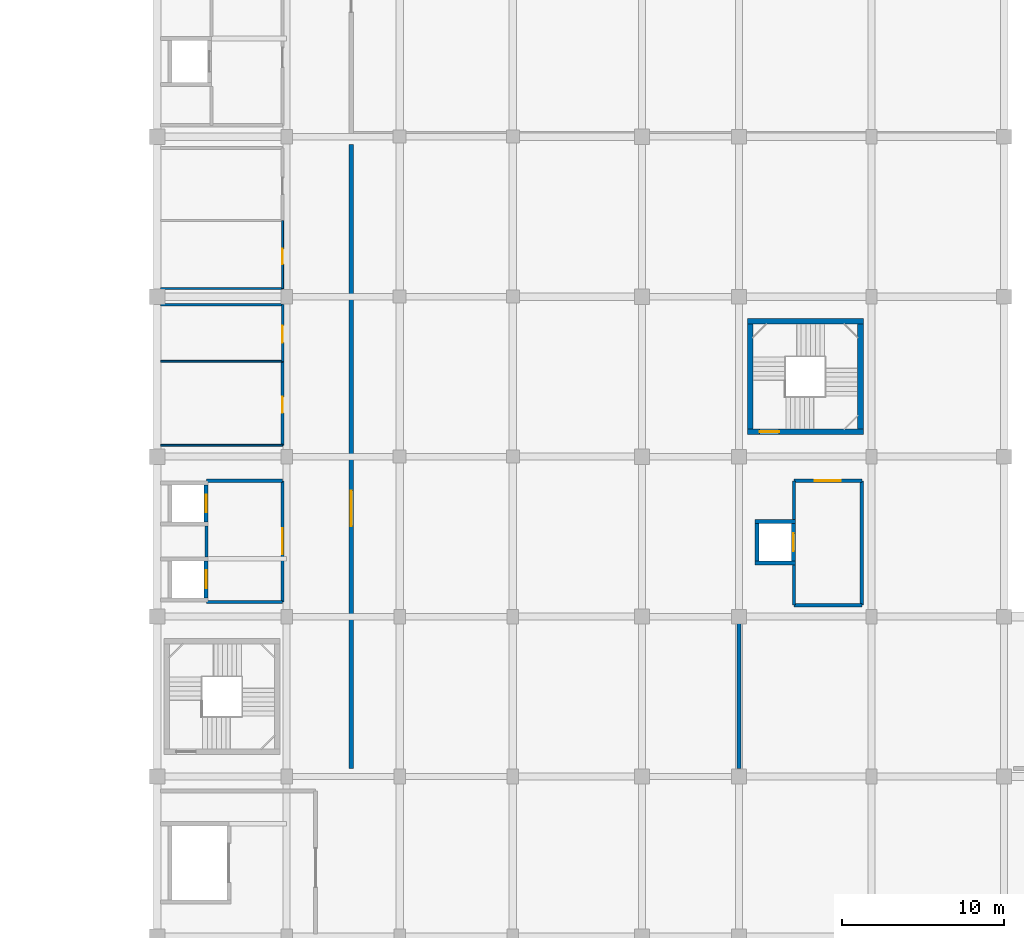
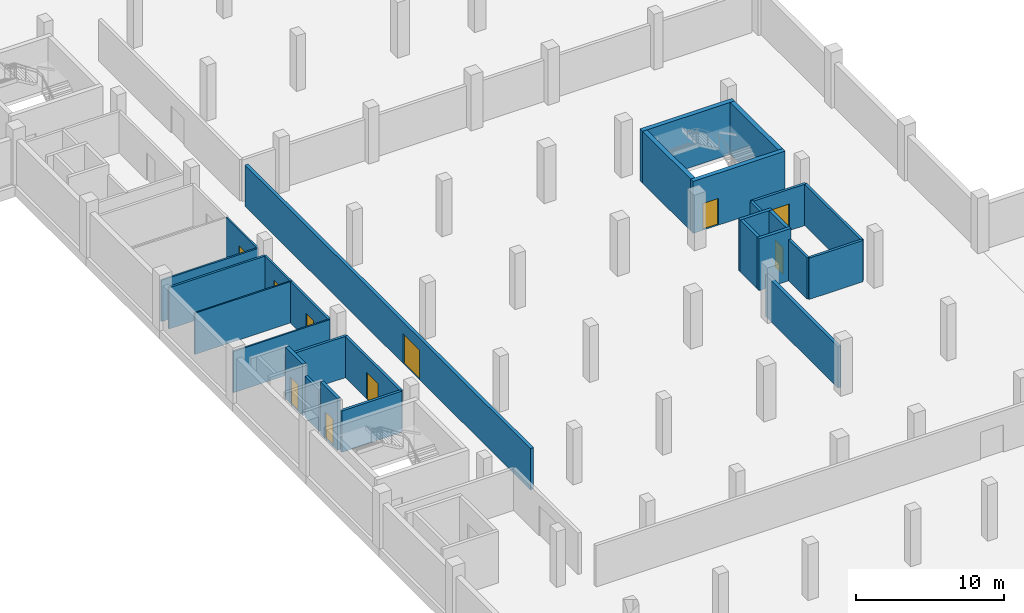
# One storey, part 11 of 32: 28 walls, 10 doors, 10 openings.
"""IFC4 building model written with IfcOpenShell, lengths in metres."""

from ifc_helpers import new_model, si_unit, direction, frame, frame_2d, origin, place, context, subcontext, project, spatial, rectangle, extrude, material, layer, layer_set, type_object, element, fill, save


model = new_model("IFC4")

# Units and contexts
model_context = context("Model", 3, precision=1e-05, world=origin(), true_north=direction((0.0, 1.0)))
body_context = subcontext(model_context, "Body", "Model", "MODEL_VIEW")
ifc_project = project(units=[si_unit("LENGTHUNIT", "METRE"), si_unit("AREAUNIT", "SQUARE_METRE"), si_unit("VOLUMEUNIT", "CUBIC_METRE"), si_unit("PLANEANGLEUNIT", "RADIAN"), si_unit("MASSUNIT", "GRAM", prefix="KILO")], contexts=[model_context])

# Site, building, storey
site_placement = place(None, origin())
site = spatial("IfcSite", under=ifc_project, at=site_placement, CompositionType="ELEMENT")
building_placement = place(site_placement, origin())
building = spatial("IfcBuilding", under=site, at=building_placement, Name="Sillaruma Civic Art Gallery", CompositionType="ELEMENT")
storey_placement = place(building_placement, frame((0.0, 0.0, -4.590087890625)))
storey = spatial("IfcBuildingStorey", under=building, at=storey_placement, Name="B01", CompositionType="ELEMENT", Elevation=-4.590087890625)

# Wall, opening, door
ifc_material_1 = material(Name="Concrete H40 (40 MPa)", Category="concrete")
ifc_layer_1 = layer(ifc_material_1, 0.35009765625, Name="Concrete H40 (40 MPa)")
ifc_layer_set_1 = layer_set([ifc_layer_1], Name="Concrete H40 (40 MPa)")
wall_type_1 = type_object("IfcWallType", Name="WAL-CORE-350", PredefinedType="SHEAR", material=ifc_layer_set_1)
wall_1_placement = place(storey_placement, frame((98.510009765625, 51.034912109375, 0.0), z_axis=(0.0, 0.0, 1.0), x_axis=(1.0, 0.0, 0.0)))
wall_1 = element("IfcWall", 1, at=wall_1_placement, inside=storey, type_object=wall_type_1, Name="Stair Core Shear Wall W-CORE-350 (ST-04:B01:S)", PredefinedType="SHEAR", context=body_context, shape_type="SweptSolid", body=[
    extrude(rectangle(XDim=7.179931640625, YDim=0.35009765625, at=frame_2d((3.58984375, 0.0))), origin(), (0.0, 0.0, 1.0), 4.2900390625),
])
opening_1_placement = place(wall_1_placement, frame((0.77001953125, 0.0, 0.0)))
opening_1 = element("IfcOpeningElement", 2, at=opening_1_placement, cuts=wall_1, Name="Opening D-STAIR", PredefinedType="OPENING", context=body_context, shape_type="SweptSolid", body=[
    extrude(rectangle(XDim=1.199951171875, YDim=2.199951171875, at=frame_2d((0.60009765625, 1.10009765625))), frame((0.0, 0.18505859375, 0.0), z_axis=(0.0, -1.0, 0.0), x_axis=(1.0, 0.0, 0.0)), (0.0, 0.0, 1.0), 0.3701171875),
])
ifc_material_2 = material(Name="Galvanised Steel ASTM A653 Gr.50", Category="steel")
door_type_1 = type_object("IfcDoorType", Name="DOR-STAIR-120", OperationType="NOTDEFINED", PredefinedType="DOOR", material=ifc_material_2)
door_1_placement = place(opening_1_placement, origin())
door_1 = element("IfcDoor", 3, at=door_1_placement, inside=storey, type_object=door_type_1, Name="Protected Stair Fire Door (ST-04:B01)", OperationType="SINGLE_SWING_LEFT", OverallHeight=2.199951171875, OverallWidth=1.199951171875, PredefinedType="DOOR", context=body_context, shape_type="SweptSolid", body=[
    extrude(rectangle(XDim=1.199951171875, YDim=2.199951171875, at=frame_2d((0.60009765625, 1.10009765625))), frame((0.0, 0.02490234375, 0.0), z_axis=(0.0, -1.0, 0.0), x_axis=(1.0, 0.0, 0.0)), (0.0, 0.0, 1.0), 0.050048828125),
])
fill(opening_1, door_1)

# Walls
wall_2_placement = place(storey_placement, frame((98.510009765625, 57.864990234375, 0.0), z_axis=(0.0, 0.0, 1.0), x_axis=(1.0, 0.0, 0.0)))
element("IfcWall", 4, at=wall_2_placement, inside=storey, type_object=wall_type_1, Name="Stair Core Shear Wall W-CORE-350 (ST-04:B01:N)", PredefinedType="SHEAR", context=body_context, shape_type="SweptSolid", body=[
    extrude(rectangle(XDim=7.179931640625, YDim=0.35009765625, at=frame_2d((3.58984375, 0.0))), origin(), (0.0, 0.0, 1.0), 4.2900390625),
])
for number, where, z_axis, x_axis, name in (
    (5, (98.68505859375, 51.2099609375, 0.0), (0.0, 0.0, 1.0), (0.0, 1.0, 0.0), "Stair Core Shear Wall W-CORE-350 (ST-04:B01:W)"),
    (6, (105.514892578125, 51.2099609375, 0.0), (0.0, 0.0, 1.0), (0.0, 1.0, 0.0), "Stair Core Shear Wall W-CORE-350 (ST-04:B01:E)"),
):
    element("IfcWall", number, at=place(storey_placement, frame(where, z_axis=z_axis, x_axis=x_axis)), inside=storey, type_object=wall_type_1, Name=name, PredefinedType="SHEAR", context=body_context, shape_type="SweptSolid", body=[
        extrude(rectangle(XDim=6.47998046875, YDim=0.35009765625, at=frame_2d((3.239990234375, 0.0))), origin(), (0.0, 0.0, 1.0), 4.2900390625),
    ])
ifc_material_3 = material(Name="Concrete Masonry Unit Grade M15", Category="masonry")
ifc_layer_2 = layer(ifc_material_3, 0.199951171875, Name="Concrete Masonry Unit Grade M15")
ifc_layer_set_2 = layer_set([ifc_layer_2], Name="Concrete Masonry Unit Grade M15")
wall_type_2 = type_object("IfcWallType", Name="WAL-LOBBY-200", PredefinedType="SOLIDWALL", material=ifc_layer_set_2)
for number, where, z_axis, x_axis, name in (
    (7, (65.050048828125, 40.5, 0.0), (0.0, 0.0, 1.0), (1.0, 0.0, 0.0), "Interior Wall W-LOBBY-200 (B01-LLW)"),
    (8, (65.050048828125, 48.0, 0.0), (0.0, 0.0, 1.0), (1.0, 0.0, 0.0), "Interior Wall W-LOBBY-200 (B01-LLW)"),
):
    element("IfcWall", number, at=place(storey_placement, frame(where, z_axis=z_axis, x_axis=x_axis)), inside=storey, type_object=wall_type_2, Name=name, PredefinedType="SOLIDWALL", context=body_context, shape_type="SweptSolid", body=[
        extrude(rectangle(XDim=4.699951171875, YDim=0.199951171875, at=frame_2d((2.35009765625, 0.0))), origin(), (0.0, 0.0, 1.0), 3.41015625),
    ])
wall_3_placement = place(storey_placement, frame((65.050048828125, 43.300048828125, 0.0), z_axis=(0.0, 0.0, 1.0), x_axis=(0.0, 1.0, 0.0)))
element("IfcWall", 9, at=wall_3_placement, inside=storey, type_object=wall_type_2, Name="Interior Wall W-LOBBY-200 (B01-LLW)", PredefinedType="SOLIDWALL", context=body_context, shape_type="SweptSolid", body=[
    extrude(rectangle(XDim=1.89990234375, YDim=0.199951171875, at=frame_2d((0.949951171875, 0.0))), origin(), (0.0, 0.0, 1.0), 3.41015625),
])

# Wall, opening, door
wall_4_placement = place(storey_placement, frame((69.75, 40.5, 0.0), z_axis=(0.0, 0.0, 1.0), x_axis=(0.0, 1.0, 0.0)))
wall_4 = element("IfcWall", 10, at=wall_4_placement, inside=storey, type_object=wall_type_2, Name="Interior Wall W-LOBBY-200 (B01-LLW)", PredefinedType="SOLIDWALL", context=body_context, shape_type="SweptSolid", body=[
    extrude(rectangle(XDim=7.5, YDim=0.199951171875, at=frame_2d((3.75, 0.0))), origin(), (0.0, 0.0, 1.0), 3.41015625),
])
opening_2_placement = place(wall_4_placement, frame((2.949951171875, 0.0, 0.0)))
opening_2 = element("IfcOpeningElement", 11, at=opening_2_placement, cuts=wall_4, Name="Opening D-LOBBY", PredefinedType="OPENING", context=body_context, shape_type="SweptSolid", body=[
    extrude(rectangle(XDim=1.60009765625, YDim=2.199951171875, at=frame_2d((0.800048828125, 1.10009765625))), frame((0.0, 0.10986328125, 0.0), z_axis=(0.0, -1.0, 0.0), x_axis=(1.0, 0.0, 0.0)), (0.0, 0.0, 1.0), 0.219970703125),
])
ifc_material_4 = material(Name="Thermally Broken Extruded Aluminium 6063-T6", Category="aluminium")
door_type_2 = type_object("IfcDoorType", Name="DOR-LOBBY-160", OperationType="NOTDEFINED", PredefinedType="DOOR", material=ifc_material_4)
door_2_placement = place(opening_2_placement, origin())
door_2 = element("IfcDoor", 12, at=door_2_placement, inside=storey, type_object=door_type_2, Name="West Lift Lobby Door (D-LOBBY)", OperationType="DOUBLE_DOOR_SINGLE_SWING", OverallHeight=2.199951171875, OverallWidth=1.60009765625, PredefinedType="DOOR", context=body_context, shape_type="SweptSolid", body=[
    extrude(rectangle(XDim=1.60009765625, YDim=2.199951171875, at=frame_2d((0.800048828125, 1.10009765625))), frame((0.0, 0.02490234375, 0.0), z_axis=(0.0, -1.0, 0.0), x_axis=(1.0, 0.0, 0.0)), (0.0, 0.0, 1.0), 0.050048828125),
])
fill(opening_2, door_2)

# Walls
wall_5_placement = place(storey_placement, frame((101.39990234375, 40.300048828125, 0.0), z_axis=(0.0, 0.0, 1.0), x_axis=(1.0, 0.0, 0.0)))
element("IfcWall", 13, at=wall_5_placement, inside=storey, type_object=wall_type_2, Name="Interior Wall W-LOBBY-200 (B01-LLE)", PredefinedType="SOLIDWALL", context=body_context, shape_type="SweptSolid", body=[
    extrude(rectangle(XDim=4.2001953125, YDim=0.199951171875, at=frame_2d((2.10009765625, 0.0))), origin(), (0.0, 0.0, 1.0), 3.41015625),
])
wall_6_placement = place(storey_placement, frame((101.39990234375, 40.300048828125, 0.0), z_axis=(0.0, 0.0, 1.0), x_axis=(0.0, 1.0, 0.0)))
element("IfcWall", 14, at=wall_6_placement, inside=storey, type_object=wall_type_2, Name="Interior Wall W-LOBBY-200 (B01-LLE)", PredefinedType="SOLIDWALL", context=body_context, shape_type="SweptSolid", body=[
    extrude(rectangle(XDim=2.5, YDim=0.199951171875, at=frame_2d((1.25, 0.0))), origin(), (0.0, 0.0, 1.0), 3.41015625),
])
wall_7_placement = place(storey_placement, frame((101.39990234375, 45.60009765625, 0.0), z_axis=(0.0, 0.0, 1.0), x_axis=(0.0, 1.0, 0.0)))
element("IfcWall", 15, at=wall_7_placement, inside=storey, type_object=wall_type_2, Name="Interior Wall W-LOBBY-200 (B01-LLE)", PredefinedType="SOLIDWALL", context=body_context, shape_type="SweptSolid", body=[
    extrude(rectangle(XDim=2.39990234375, YDim=0.199951171875, at=frame_2d((1.199951171875, 0.0))), origin(), (0.0, 0.0, 1.0), 3.41015625),
])
wall_8_placement = place(storey_placement, frame((105.60009765625, 40.300048828125, 0.0), z_axis=(0.0, 0.0, 1.0), x_axis=(0.0, 1.0, 0.0)))
element("IfcWall", 16, at=wall_8_placement, inside=storey, type_object=wall_type_2, Name="Interior Wall W-LOBBY-200 (B01-LLE)", PredefinedType="SOLIDWALL", context=body_context, shape_type="SweptSolid", body=[
    extrude(rectangle(XDim=7.699951171875, YDim=0.199951171875, at=frame_2d((3.85009765625, 0.0))), origin(), (0.0, 0.0, 1.0), 3.41015625),
])

# Wall, opening, door
wall_9_placement = place(storey_placement, frame((101.39990234375, 48.0, 0.0), z_axis=(0.0, 0.0, 1.0), x_axis=(1.0, 0.0, 0.0)))
wall_9 = element("IfcWall", 17, at=wall_9_placement, inside=storey, type_object=wall_type_2, Name="Interior Wall W-LOBBY-200 (B01-LLE)", PredefinedType="SOLIDWALL", context=body_context, shape_type="SweptSolid", body=[
    extrude(rectangle(XDim=4.2001953125, YDim=0.199951171875, at=frame_2d((2.10009765625, 0.0))), origin(), (0.0, 0.0, 1.0), 3.41015625),
])
opening_3_placement = place(wall_9_placement, frame((1.300048828125, 0.0, 0.0)))
opening_3 = element("IfcOpeningElement", 18, at=opening_3_placement, cuts=wall_9, Name="Opening D-LOBBY", PredefinedType="OPENING", context=body_context, shape_type="SweptSolid", body=[
    extrude(rectangle(XDim=1.60009765625, YDim=2.199951171875, at=frame_2d((0.800048828125, 1.10009765625))), frame((0.0, 0.10986328125, 0.0), z_axis=(0.0, -1.0, 0.0), x_axis=(1.0, 0.0, 0.0)), (0.0, 0.0, 1.0), 0.219970703125),
])
door_3_placement = place(opening_3_placement, origin())
door_3 = element("IfcDoor", 19, at=door_3_placement, inside=storey, type_object=door_type_2, Name="East Lift Lobby Door (D-LOBBY)", OperationType="DOUBLE_DOOR_SINGLE_SWING", OverallHeight=2.199951171875, OverallWidth=1.60009765625, PredefinedType="DOOR", context=body_context, shape_type="SweptSolid", body=[
    extrude(rectangle(XDim=1.60009765625, YDim=2.199951171875, at=frame_2d((0.800048828125, 1.10009765625))), frame((0.0, 0.02490234375, 0.0), z_axis=(0.0, -1.0, 0.0), x_axis=(1.0, 0.0, 0.0)), (0.0, 0.0, 1.0), 0.050048828125),
])
fill(opening_3, door_3)

# Walls
ifc_material_5 = material(Name="Gypsum Acoustic Board", Category="gypsum")
ifc_layer_3 = layer(ifc_material_5, 0.02490234375, Name="Finish board", Category="gypsum")
ifc_material_6 = material(Name="Mineral Wool Thermal Insulation", Category="insulation")
ifc_layer_4 = layer(ifc_material_6, 0.06005859375, Name="Acoustic core", Category="insulation")
ifc_material_7 = material(Name="Andean Oak Timber", Category="wood")
ifc_layer_5 = layer(ifc_material_7, 0.02490234375, Name="Gallery lining", Category="wood")
ifc_layer_set_3 = layer_set([ifc_layer_3, ifc_layer_4, ifc_layer_5], Name="W-PT-110")
wall_type_3 = type_object("IfcWallType", Name="WAL-PART-110", PredefinedType="PARTITIONING", material=ifc_layer_set_3)
wall_10_placement = place(storey_placement, frame((62.199951171875, 55.39990234375, 0.0), z_axis=(0.0, 0.0, 1.0), x_axis=(1.0, 0.0, 0.0)))
element("IfcWall", 20, at=wall_10_placement, inside=storey, type_object=wall_type_3, Name="Interior Wall W-PT-110 (B01-WC1)", PredefinedType="PARTITIONING", context=body_context, shape_type="SweptSolid", body=[
    extrude(rectangle(XDim=7.550048828125, YDim=0.110107421875, at=frame_2d((3.77490234375, 0.0))), origin(), (0.0, 0.0, 1.0), 3.41015625),
])
ifc_layer_6 = layer(ifc_material_5, 0.02490234375, Name="Finish board", Category="gypsum")
ifc_layer_7 = layer(ifc_material_6, 0.070068359375, Name="Acoustic core", Category="insulation")
ifc_layer_8 = layer(ifc_material_7, 0.02490234375, Name="Gallery lining", Category="wood")
ifc_layer_set_4 = layer_set([ifc_layer_6, ifc_layer_7, ifc_layer_8], Name="W-PT-120")
wall_type_4 = type_object("IfcWallType", Name="WAL-PART-120", PredefinedType="PARTITIONING", material=ifc_layer_set_4)
wall_11_placement = place(storey_placement, frame((62.199951171875, 50.199951171875, 0.0), z_axis=(0.0, 0.0, 1.0), x_axis=(1.0, 0.0, 0.0)))
element("IfcWall", 21, at=wall_11_placement, inside=storey, type_object=wall_type_4, Name="Interior Wall W-PT-120 (B01-WC1)", PredefinedType="PARTITIONING", context=body_context, shape_type="SweptSolid", body=[
    extrude(rectangle(XDim=7.550048828125, YDim=0.1201171875, at=frame_2d((3.77490234375, 0.0))), origin(), (0.0, 0.0, 1.0), 3.41015625),
])

# Wall, opening, door
wall_12_placement = place(storey_placement, frame((69.75, 59.89990234375, 0.0), z_axis=(0.0, 0.0, 1.0), x_axis=(0.0, 1.0, 0.0)))
wall_12 = element("IfcWall", 22, at=wall_12_placement, inside=storey, type_object=wall_type_4, Name="Interior Wall W-PT-120 (B01-CLN)", PredefinedType="PARTITIONING", context=body_context, shape_type="SweptSolid", body=[
    extrude(rectangle(XDim=4.2001953125, YDim=0.1201171875, at=frame_2d((2.10009765625, 0.0))), origin(), (0.0, 0.0, 1.0), 3.41015625),
])
opening_4_placement = place(wall_12_placement, frame((1.5, 0.0, 0.0)))
opening_4 = element("IfcOpeningElement", 23, at=opening_4_placement, cuts=wall_12, Name="Opening D-SVC09", PredefinedType="OPENING", context=body_context, shape_type="SweptSolid", body=[
    extrude(rectangle(XDim=0.949951171875, YDim=2.10009765625, at=frame_2d((0.47509765625, 1.050048828125))), frame((0.0, 0.070068359375, 0.0), z_axis=(0.0, -1.0, 0.0), x_axis=(1.0, 0.0, 0.0)), (0.0, 0.0, 1.0), 0.14013671875),
])
door_type_3 = type_object("IfcDoorType", Name="DOR-SVC-095", OperationType="NOTDEFINED", PredefinedType="DOOR", material=ifc_material_7)
door_4_placement = place(opening_4_placement, origin())
door_4 = element("IfcDoor", 24, at=door_4_placement, inside=storey, type_object=door_type_3, Name="Cleaner Store Door (D-SVC09)", OperationType="SINGLE_SWING_LEFT", OverallHeight=2.10009765625, OverallWidth=0.949951171875, PredefinedType="DOOR", context=body_context, shape_type="SweptSolid", body=[
    extrude(rectangle(XDim=0.949951171875, YDim=2.10009765625, at=frame_2d((0.47509765625, 1.050048828125))), frame((0.0, 0.02490234375, 0.0), z_axis=(0.0, -1.0, 0.0), x_axis=(1.0, 0.0, 0.0)), (0.0, 0.0, 1.0), 0.050048828125),
])
fill(opening_4, door_4)

# Wall
ifc_layer_9 = layer(ifc_material_5, 0.02490234375, Name="Finish board", Category="gypsum")
ifc_layer_10 = layer(ifc_material_6, 0.090087890625, Name="Acoustic core", Category="insulation")
ifc_layer_11 = layer(ifc_material_7, 0.02490234375, Name="Gallery lining", Category="wood")
ifc_layer_set_5 = layer_set([ifc_layer_9, ifc_layer_10, ifc_layer_11], Name="W-PT-140")
wall_type_5 = type_object("IfcWallType", Name="WAL-PART-140", PredefinedType="PARTITIONING", material=ifc_layer_set_5)
wall_13_placement = place(storey_placement, frame((62.199951171875, 59.89990234375, 0.0), z_axis=(0.0, 0.0, 1.0), x_axis=(1.0, 0.0, 0.0)))
element("IfcWall", 25, at=wall_13_placement, inside=storey, type_object=wall_type_5, Name="Interior Wall W-PT-140 (B01-CLN)", PredefinedType="PARTITIONING", context=body_context, shape_type="SweptSolid", body=[
    extrude(rectangle(XDim=7.550048828125, YDim=0.139892578125, at=frame_2d((3.77490234375, 0.0))), origin(), (0.0, 0.0, 1.0), 3.41015625),
])

# Wall, opening, door
ifc_layer_12 = layer(ifc_material_5, 0.02490234375, Name="Finish board", Category="gypsum")
ifc_layer_13 = layer(ifc_material_6, 0.10009765625, Name="Acoustic core", Category="insulation")
ifc_layer_14 = layer(ifc_material_7, 0.02490234375, Name="Gallery lining", Category="wood")
ifc_layer_set_6 = layer_set([ifc_layer_12, ifc_layer_13, ifc_layer_14], Name="W-PT-150")
wall_type_6 = type_object("IfcWallType", Name="WAL-PART-150", PredefinedType="PARTITIONING", material=ifc_layer_set_6)
wall_14_placement = place(storey_placement, frame((69.75, 55.39990234375, 0.0), z_axis=(0.0, 0.0, 1.0), x_axis=(0.0, 1.0, 0.0)))
wall_14 = element("IfcWall", 26, at=wall_14_placement, inside=storey, type_object=wall_type_6, Name="Interior Wall W-PT-150 (B01-WCA)", PredefinedType="PARTITIONING", context=body_context, shape_type="SweptSolid", body=[
    extrude(rectangle(XDim=3.5, YDim=0.14990234375, at=frame_2d((1.75, 0.0))), origin(), (0.0, 0.0, 1.0), 3.41015625),
])
opening_5_placement = place(wall_14_placement, frame((1.14990234375, 0.0, 0.0)))
opening_5 = element("IfcOpeningElement", 27, at=opening_5_placement, cuts=wall_14, Name="Opening D-AWC10", PredefinedType="OPENING", context=body_context, shape_type="SweptSolid", body=[
    extrude(rectangle(XDim=1.050048828125, YDim=2.14990234375, at=frame_2d((0.52490234375, 1.074951171875))), frame((0.0, 0.0849609375, 0.0), z_axis=(0.0, -1.0, 0.0), x_axis=(1.0, 0.0, 0.0)), (0.0, 0.0, 1.0), 0.169921875),
])
door_type_4 = type_object("IfcDoorType", Name="DOR-AWC-105", OperationType="NOTDEFINED", PredefinedType="DOOR", material=ifc_material_7)
door_5_placement = place(opening_5_placement, origin())
door_5 = element("IfcDoor", 28, at=door_5_placement, inside=storey, type_object=door_type_4, Name="Accessible WC Door (D-AWC10)", OperationType="SINGLE_SWING_RIGHT", OverallHeight=2.14990234375, OverallWidth=1.050048828125, PredefinedType="DOOR", context=body_context, shape_type="SweptSolid", body=[
    extrude(rectangle(XDim=1.050048828125, YDim=2.14990234375, at=frame_2d((0.52490234375, 1.074951171875))), frame((0.0, 0.02490234375, 0.0), z_axis=(0.0, -1.0, 0.0), x_axis=(1.0, 0.0, 0.0)), (0.0, 0.0, 1.0), 0.050048828125),
])
fill(opening_5, door_5)

# Wall
ifc_layer_15 = layer(ifc_material_5, 0.02490234375, Name="Finish board", Category="gypsum")
ifc_layer_16 = layer(ifc_material_6, 0.114990234375, Name="Acoustic core", Category="insulation")
ifc_layer_17 = layer(ifc_material_7, 0.02490234375, Name="Gallery lining", Category="wood")
ifc_layer_set_7 = layer_set([ifc_layer_15, ifc_layer_16, ifc_layer_17], Name="W-PT-165")
wall_type_7 = type_object("IfcWallType", Name="WAL-PART-165", PredefinedType="PARTITIONING", material=ifc_layer_set_7)
wall_15_placement = place(storey_placement, frame((62.199951171875, 58.89990234375, 0.0), z_axis=(0.0, 0.0, 1.0), x_axis=(1.0, 0.0, 0.0)))
element("IfcWall", 29, at=wall_15_placement, inside=storey, type_object=wall_type_7, Name="Interior Wall W-PT-165 (B01-WCA)", PredefinedType="PARTITIONING", context=body_context, shape_type="SweptSolid", body=[
    extrude(rectangle(XDim=7.550048828125, YDim=0.1650390625, at=frame_2d((3.77490234375, 0.0))), origin(), (0.0, 0.0, 1.0), 3.41015625),
])

# Wall, opening, door
ifc_layer_18 = layer(ifc_material_5, 0.02490234375, Name="Finish board", Category="gypsum")
ifc_layer_19 = layer(ifc_material_6, 0.1298828125, Name="Acoustic core", Category="insulation")
ifc_layer_20 = layer(ifc_material_7, 0.02490234375, Name="Gallery lining", Category="wood")
ifc_layer_set_8 = layer_set([ifc_layer_18, ifc_layer_19, ifc_layer_20], Name="W-PT-180")
wall_type_8 = type_object("IfcWallType", Name="WAL-PART-180", PredefinedType="PARTITIONING", material=ifc_layer_set_8)
wall_16_placement = place(storey_placement, frame((69.75, 50.199951171875, 0.0), z_axis=(0.0, 0.0, 1.0), x_axis=(0.0, 1.0, 0.0)))
wall_16 = element("IfcWall", 30, at=wall_16_placement, inside=storey, type_object=wall_type_8, Name="Interior Wall W-PT-180 (B01-WC1)", PredefinedType="PARTITIONING", context=body_context, shape_type="SweptSolid", body=[
    extrude(rectangle(XDim=5.199951171875, YDim=0.179931640625, at=frame_2d((2.60009765625, 0.0))), origin(), (0.0, 0.0, 1.0), 3.41015625),
])
opening_6_placement = place(wall_16_placement, frame((2.0, 0.0, 0.0)))
opening_6 = element("IfcOpeningElement", 31, at=opening_6_placement, cuts=wall_16, Name="Opening D-WC10", PredefinedType="OPENING", context=body_context, shape_type="SweptSolid", body=[
    extrude(rectangle(XDim=1.0, YDim=2.10009765625, at=frame_2d((0.5, 1.050048828125))), frame((0.0, 0.099853515625, 0.0), z_axis=(0.0, -1.0, 0.0), x_axis=(1.0, 0.0, 0.0)), (0.0, 0.0, 1.0), 0.199951171875),
])
door_type_5 = type_object("IfcDoorType", Name="DOR-WC-100", OperationType="NOTDEFINED", PredefinedType="DOOR", material=ifc_material_7)
door_6_placement = place(opening_6_placement, origin())
door_6 = element("IfcDoor", 32, at=door_6_placement, inside=storey, type_object=door_type_5, Name="Public WC Door (D-WC10)", OperationType="SINGLE_SWING_LEFT", OverallHeight=2.10009765625, OverallWidth=1.0, PredefinedType="DOOR", context=body_context, shape_type="SweptSolid", body=[
    extrude(rectangle(XDim=1.0, YDim=2.10009765625, at=frame_2d((0.5, 1.050048828125))), frame((0.0, 0.02490234375, 0.0), z_axis=(0.0, -1.0, 0.0), x_axis=(1.0, 0.0, 0.0)), (0.0, 0.0, 1.0), 0.050048828125),
])
fill(opening_6, door_6)

ifc_layer_21 = layer(ifc_material_1, 0.25, Name="Concrete H40 (40 MPa)")
ifc_layer_set_9 = layer_set([ifc_layer_21], Name="Concrete H40 (40 MPa)")
wall_type_9 = type_object("IfcWallType", Name="WAL-SHAFT-250", PredefinedType="SOLIDWALL", material=ifc_layer_set_9)
wall_17_placement = place(storey_placement, frame((65.02490234375, 40.75, 0.0), z_axis=(0.0, 0.0, 1.0), x_axis=(0.0, 1.0, 0.0)))
wall_17 = element("IfcWall", 33, at=wall_17_placement, inside=storey, type_object=wall_type_9, Name="Lift Shaft Wall W-SHAFT-250 (PL-01:B01:E)", PredefinedType="SOLIDWALL", context=body_context, shape_type="SweptSolid", body=[
    extrude(rectangle(XDim=2.300048828125, YDim=0.25, at=frame_2d((1.14990234375, 0.0))), origin(), (0.0, 0.0, 1.0), 4.27001953125),
])
opening_7_placement = place(wall_17_placement, frame((0.60009765625, 0.0, 0.0)))
opening_7 = element("IfcOpeningElement", 34, at=opening_7_placement, cuts=wall_17, Name="Opening LD-01", PredefinedType="OPENING", context=body_context, shape_type="SweptSolid", body=[
    extrude(rectangle(XDim=1.10009765625, YDim=2.199951171875, at=frame_2d((0.550048828125, 1.10009765625))), frame((0.0, 0.135009765625, 0.0), z_axis=(0.0, -1.0, 0.0), x_axis=(1.0, 0.0, 0.0)), (0.0, 0.0, 1.0), 0.27001953125),
])
door_type_6 = type_object("IfcDoorType", Name="DOR-LD-01", OperationType="NOTDEFINED", PredefinedType="DOOR", material=ifc_material_2)
door_7_placement = place(opening_7_placement, origin())
door_7 = element("IfcDoor", 35, at=door_7_placement, inside=storey, type_object=door_type_6, Name="Lift Sliding Landing Door LD-01 (PL-01:B01)", OperationType="DOUBLE_DOOR_SLIDING", OverallHeight=2.199951171875, OverallWidth=1.10009765625, PredefinedType="DOOR", context=body_context, shape_type="SweptSolid", body=[
    extrude(rectangle(XDim=1.10009765625, YDim=2.199951171875, at=frame_2d((0.550048828125, 1.10009765625))), frame((0.0, 0.02490234375, 0.0), z_axis=(0.0, -1.0, 0.0), x_axis=(1.0, 0.0, 0.0)), (0.0, 0.0, 1.0), 0.050048828125),
])
fill(opening_7, door_7)

wall_18_placement = place(storey_placement, frame((65.02490234375, 45.449951171875, 0.0), z_axis=(0.0, 0.0, 1.0), x_axis=(0.0, 1.0, 0.0)))
wall_18 = element("IfcWall", 36, at=wall_18_placement, inside=storey, type_object=wall_type_9, Name="Lift Shaft Wall W-SHAFT-250 (PL-02:B01:E)", PredefinedType="SOLIDWALL", context=body_context, shape_type="SweptSolid", body=[
    extrude(rectangle(XDim=2.300048828125, YDim=0.25, at=frame_2d((1.14990234375, 0.0))), origin(), (0.0, 0.0, 1.0), 4.27001953125),
])
opening_8_placement = place(wall_18_placement, frame((0.60009765625, 0.0, 0.0)))
opening_8 = element("IfcOpeningElement", 37, at=opening_8_placement, cuts=wall_18, Name="Opening LD-01", PredefinedType="OPENING", context=body_context, shape_type="SweptSolid", body=[
    extrude(rectangle(XDim=1.10009765625, YDim=2.199951171875, at=frame_2d((0.550048828125, 1.10009765625))), frame((0.0, 0.135009765625, 0.0), z_axis=(0.0, -1.0, 0.0), x_axis=(1.0, 0.0, 0.0)), (0.0, 0.0, 1.0), 0.27001953125),
])
door_8_placement = place(opening_8_placement, origin())
door_8 = element("IfcDoor", 38, at=door_8_placement, inside=storey, type_object=door_type_6, Name="Lift Sliding Landing Door LD-01 (PL-02:B01)", OperationType="DOUBLE_DOOR_SLIDING", OverallHeight=2.199951171875, OverallWidth=1.10009765625, PredefinedType="DOOR", context=body_context, shape_type="SweptSolid", body=[
    extrude(rectangle(XDim=1.10009765625, YDim=2.199951171875, at=frame_2d((0.550048828125, 1.10009765625))), frame((0.0, 0.02490234375, 0.0), z_axis=(0.0, -1.0, 0.0), x_axis=(1.0, 0.0, 0.0)), (0.0, 0.0, 1.0), 0.050048828125),
])
fill(opening_8, door_8)

# Walls
for number, where, z_axis, x_axis, name in (
    (39, (99.0, 42.925048828125, 0.0), (0.0, 0.0, 1.0), (1.0, 0.0, 0.0), "Lift Shaft Wall W-SHAFT-250 (PL-03:B01:S)"),
    (40, (99.0, 45.47509765625, 0.0), (0.0, 0.0, 1.0), (1.0, 0.0, 0.0), "Lift Shaft Wall W-SHAFT-250 (PL-03:B01:N)"),
):
    element("IfcWall", number, at=place(storey_placement, frame(where, z_axis=z_axis, x_axis=x_axis)), inside=storey, type_object=wall_type_9, Name=name, PredefinedType="SOLIDWALL", context=body_context, shape_type="SweptSolid", body=[
        extrude(rectangle(XDim=2.5, YDim=0.25, at=frame_2d((1.25, 0.0))), origin(), (0.0, 0.0, 1.0), 4.27001953125),
    ])
wall_19_placement = place(storey_placement, frame((99.125, 43.050048828125, 0.0), z_axis=(0.0, 0.0, 1.0), x_axis=(0.0, 1.0, 0.0)))
element("IfcWall", 41, at=wall_19_placement, inside=storey, type_object=wall_type_9, Name="Lift Shaft Wall W-SHAFT-250 (PL-03:B01:W)", PredefinedType="SOLIDWALL", context=body_context, shape_type="SweptSolid", body=[
    extrude(rectangle(XDim=2.300048828125, YDim=0.25, at=frame_2d((1.14990234375, 0.0))), origin(), (0.0, 0.0, 1.0), 4.27001953125),
])

# Wall, opening, door
wall_20_placement = place(storey_placement, frame((101.375, 43.050048828125, 0.0), z_axis=(0.0, 0.0, 1.0), x_axis=(0.0, 1.0, 0.0)))
wall_20 = element("IfcWall", 42, at=wall_20_placement, inside=storey, type_object=wall_type_9, Name="Lift Shaft Wall W-SHAFT-250 (PL-03:B01:E)", PredefinedType="SOLIDWALL", context=body_context, shape_type="SweptSolid", body=[
    extrude(rectangle(XDim=2.300048828125, YDim=0.25, at=frame_2d((1.14990234375, 0.0))), origin(), (0.0, 0.0, 1.0), 4.27001953125),
])
opening_9_placement = place(wall_20_placement, frame((0.60009765625, 0.0, 0.0)))
opening_9 = element("IfcOpeningElement", 43, at=opening_9_placement, cuts=wall_20, Name="Opening LD-01", PredefinedType="OPENING", context=body_context, shape_type="SweptSolid", body=[
    extrude(rectangle(XDim=1.10009765625, YDim=2.199951171875, at=frame_2d((0.550048828125, 1.10009765625))), frame((0.0, 0.135009765625, 0.0), z_axis=(0.0, -1.0, 0.0), x_axis=(1.0, 0.0, 0.0)), (0.0, 0.0, 1.0), 0.27001953125),
])
door_9_placement = place(opening_9_placement, origin())
door_9 = element("IfcDoor", 44, at=door_9_placement, inside=storey, type_object=door_type_6, Name="Lift Sliding Landing Door LD-01 (PL-03:B01)", OperationType="DOUBLE_DOOR_SLIDING", OverallHeight=2.199951171875, OverallWidth=1.10009765625, PredefinedType="DOOR", context=body_context, shape_type="SweptSolid", body=[
    extrude(rectangle(XDim=1.10009765625, YDim=2.199951171875, at=frame_2d((0.550048828125, 1.10009765625))), frame((0.0, 0.02490234375, 0.0), z_axis=(0.0, -1.0, 0.0), x_axis=(1.0, 0.0, 0.0)), (0.0, 0.0, 1.0), 0.050048828125),
])
fill(opening_9, door_9)

ifc_layer_22 = layer(ifc_material_3, 0.2548828125, Name="Concrete Masonry Unit Grade M15")
ifc_layer_set_10 = layer_set([ifc_layer_22], Name="Concrete Masonry Unit Grade M15")
wall_type_10 = type_object("IfcWallType", Name="WAL-STORE-250", PredefinedType="SOLIDWALL", material=ifc_layer_set_10)
wall_21_placement = place(storey_placement, frame((74.0, 30.199951171875, 0.0), z_axis=(0.0, 0.0, 1.0), x_axis=(0.0, 1.0, 0.0)))
wall_21 = element("IfcWall", 45, at=wall_21_placement, inside=storey, type_object=wall_type_10, Name="Interior Wall W-STORE-250 (B01-STRC1)", PredefinedType="SOLIDWALL", context=body_context, shape_type="SweptSolid", body=[
    extrude(rectangle(XDim=38.60009765625, YDim=0.2548828125, at=frame_2d((19.300048828125, 0.0))), origin(), (0.0, 0.0, 1.0), 3.41015625),
])
opening_10_placement = place(wall_21_placement, frame((15.0, 0.0, 0.0)))
opening_10 = element("IfcOpeningElement", 46, at=opening_10_placement, cuts=wall_21, Name="Opening D-STR22", PredefinedType="OPENING", context=body_context, shape_type="SweptSolid", body=[
    extrude(rectangle(XDim=2.199951171875, YDim=2.449951171875, at=frame_2d((1.10009765625, 1.22509765625))), frame((0.0, 0.137451171875, 0.0), z_axis=(0.0, -1.0, 0.0), x_axis=(1.0, 0.0, 0.0)), (0.0, 0.0, 1.0), 0.27490234375),
])
door_type_7 = type_object("IfcDoorType", Name="DOR-STORE-220", OperationType="NOTDEFINED", PredefinedType="DOOR", material=ifc_material_2)
door_10_placement = place(opening_10_placement, origin())
door_10 = element("IfcDoor", 47, at=door_10_placement, inside=storey, type_object=door_type_7, Name="Sculpture Collection Art Store Door (D-STR22)", OperationType="DOUBLE_DOOR_SINGLE_SWING", OverallHeight=2.449951171875, OverallWidth=2.199951171875, PredefinedType="DOOR", context=body_context, shape_type="SweptSolid", body=[
    extrude(rectangle(XDim=2.199951171875, YDim=2.449951171875, at=frame_2d((1.10009765625, 1.22509765625))), frame((0.0, 0.02490234375, 0.0), z_axis=(0.0, -1.0, 0.0), x_axis=(1.0, 0.0, 0.0)), (0.0, 0.0, 1.0), 0.050048828125),
])
fill(opening_10, door_10)

# Wall
wall_22_placement = place(storey_placement, frame((98.0, 30.199951171875, 0.0), z_axis=(0.0, 0.0, 1.0), x_axis=(0.0, 1.0, 0.0)))
element("IfcWall", 48, at=wall_22_placement, inside=storey, type_object=wall_type_10, Name="Interior Wall W-STORE-250 (B01-STRC1)", PredefinedType="SOLIDWALL", context=body_context, shape_type="SweptSolid", body=[
    extrude(rectangle(XDim=9.800048828125, YDim=0.2548828125, at=frame_2d((4.89990234375, 0.0))), origin(), (0.0, 0.0, 1.0), 3.41015625),
])

save(model, "model.ifc")
